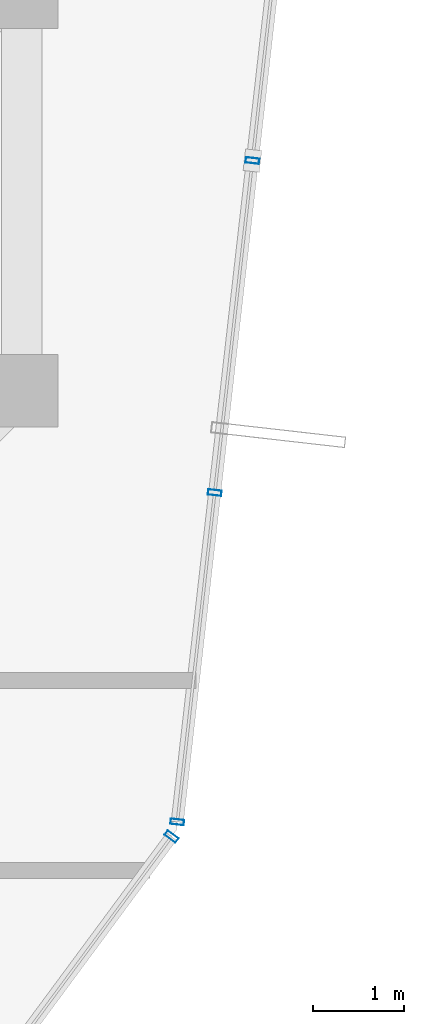
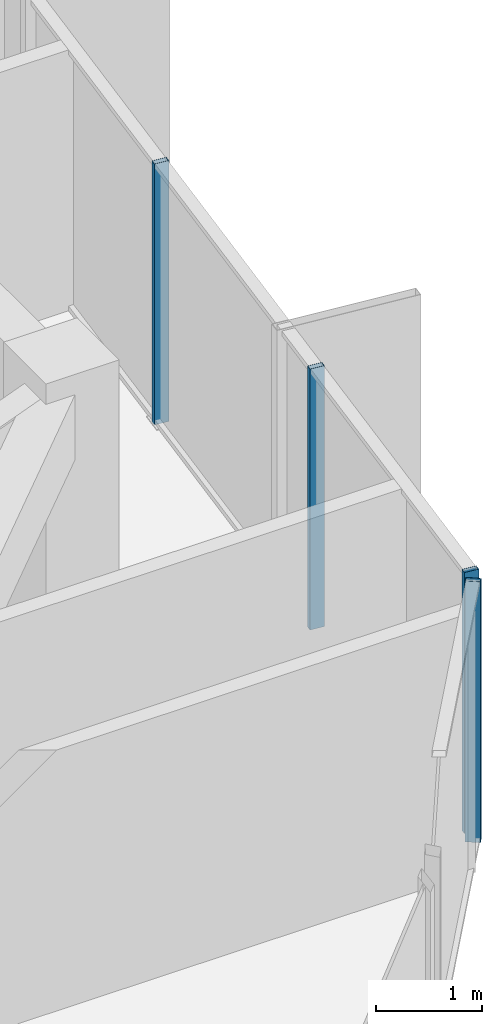
# One storey, part 19 of 30: 4 members, 2 elements without a shape of their own.
"""IFC4 building model written with IfcOpenShell, lengths in metres."""

from ifc_helpers import new_model, si_unit, direction, frame, origin, origin_2d, place, context, subcontext, project, spatial, hollow_rectangle, extrude, source, transform, mapped, material, layer, layer_set, material_profile, profile_set, type_object, element, aggregate, save


model = new_model("IFC4")

# Units and contexts
model_context = context("Model", 3, precision=1e-05, world=origin(), true_north=direction((0.0, 1.0)))
body_context = subcontext(model_context, "Body", "Model", "MODEL_VIEW")
ifc_project = project(units=[si_unit("LENGTHUNIT", "METRE"), si_unit("AREAUNIT", "SQUARE_METRE"), si_unit("VOLUMEUNIT", "CUBIC_METRE"), si_unit("PLANEANGLEUNIT", "RADIAN"), si_unit("MASSUNIT", "GRAM", prefix="KILO")], contexts=[model_context])

# Site, building, storey
site_placement = place(None, origin())
site = spatial("IfcSite", under=ifc_project, at=site_placement, CompositionType="ELEMENT")
building_placement = place(site_placement, origin())
building = spatial("IfcBuilding", under=site, at=building_placement, Name="Veraguas Prism Commons", CompositionType="ELEMENT")
storey_placement = place(building_placement, frame((0.0, 0.0, 230.050048828125)))
storey = spatial("IfcBuildingStorey", under=building, at=storey_placement, Name="L65", CompositionType="ELEMENT", Elevation=230.050048828125)

# Curtain wall, members
ifc_material = material(Name="Anodised aluminium EN AW-6063 T6", Category="aluminium")
ifc_layer = layer(ifc_material, 0.14990234375, Name="Unitised Flush Curtain Wall Zone 4", Category="aluminium")
ifc_layer_set = layer_set([ifc_layer], Name="Anodised aluminium EN AW-6063 T6")
curtain_wall_type = type_object("IfcCurtainWallType", Name="Unitised Flush Curtain Wall Zone 4", PredefinedType="NOTDEFINED", material=ifc_layer_set)
curtain_wall_1_placement = place(storey_placement, origin())
curtain_wall_1 = element("IfcCurtainWall", 1, at=curtain_wall_1_placement, inside=storey, type_object=curtain_wall_type, Name="Tower Facade Curtain Wall L65-F6", PredefinedType="NOTDEFINED")
ifc_material_profile = material_profile(ifc_material, hollow_rectangle(XDim=0.06005859375, YDim=0.14990234375, WallThickness=0.0029296875, at=origin_2d()), Name="AL60X150X3")
ifc_profile_set = profile_set([ifc_material_profile], Name="Anodised aluminium EN AW-6063 T6")
member_type = type_object("IfcMemberType", Name="Curtain Wall Mullion Upper AL 60x150x3", PredefinedType="MULLION", material=ifc_profile_set)
shared_shape = source(origin(), body_context, "Body", "SweptSolid", [
    extrude(hollow_rectangle(XDim=0.06005859375, YDim=0.14990234375, WallThickness=0.0029296875, at=origin_2d()), origin(), (0.0, 0.0, 1.0), 3.014892578125),
])
member_1_placement = place(storey_placement, frame((39.51953125, 14.8369140625, 0.0), z_axis=(0.0, 0.0, 1.0), x_axis=(0.112858119052, 0.993611113547, 0.0)))
member_1 = element("IfcMember", 2, at=member_1_placement, type_object=member_type, Name="CW-Z4 Mullion 1", PredefinedType="MULLION", context=body_context, shape_type="MappedRepresentation", body=[
    mapped(shared_shape, transform((0.0, 0.0, 0.0), scale=1.0)),
])
member_2_placement = place(storey_placement, frame((39.9326171875, 18.47509765625, 0.0), z_axis=(0.0, 0.0, 1.0), x_axis=(0.112858119052, 0.993611113547, 0.0)))
member_2 = element("IfcMember", 3, at=member_2_placement, type_object=member_type, Name="CW-Z4 Mullion 2", PredefinedType="MULLION", context=body_context, shape_type="MappedRepresentation", body=[
    mapped(shared_shape, transform((0.0, 0.0, 0.0), scale=1.0)),
])
member_3_placement = place(storey_placement, frame((40.349365234375, 22.14306640625, 0.0), z_axis=(0.0, 0.0, 1.0), x_axis=(0.112858119052, 0.993611113547, 0.0)))
member_3 = element("IfcMember", 4, at=member_3_placement, type_object=member_type, Name="CW-Z4 Mullion 3", PredefinedType="MULLION", context=body_context, shape_type="MappedRepresentation", body=[
    mapped(shared_shape, transform((0.0, 0.0, 0.0), scale=1.0)),
])
aggregate(curtain_wall_1, [member_1, member_2, member_3])

# Curtain wall, member
curtain_wall_2_placement = place(storey_placement, origin())
curtain_wall_2 = element("IfcCurtainWall", 5, at=curtain_wall_2_placement, inside=storey, type_object=curtain_wall_type, Name="Chamfer Curtain Wall L65-C6", PredefinedType="NOTDEFINED")
member_4_placement = place(storey_placement, frame((39.455810546875, 14.675048828125, 0.0), z_axis=(0.0, 0.0, 1.0), x_axis=(0.594505663641, 0.8040914226, 0.0)))
member_4 = element("IfcMember", 6, at=member_4_placement, type_object=member_type, Name="CW-Z4 Mullion 2", PredefinedType="MULLION", context=body_context, shape_type="MappedRepresentation", body=[
    mapped(shared_shape, transform((0.0, 0.0, 0.0), scale=1.0)),
])
aggregate(curtain_wall_2, [member_4])

save(model, "model.ifc")
